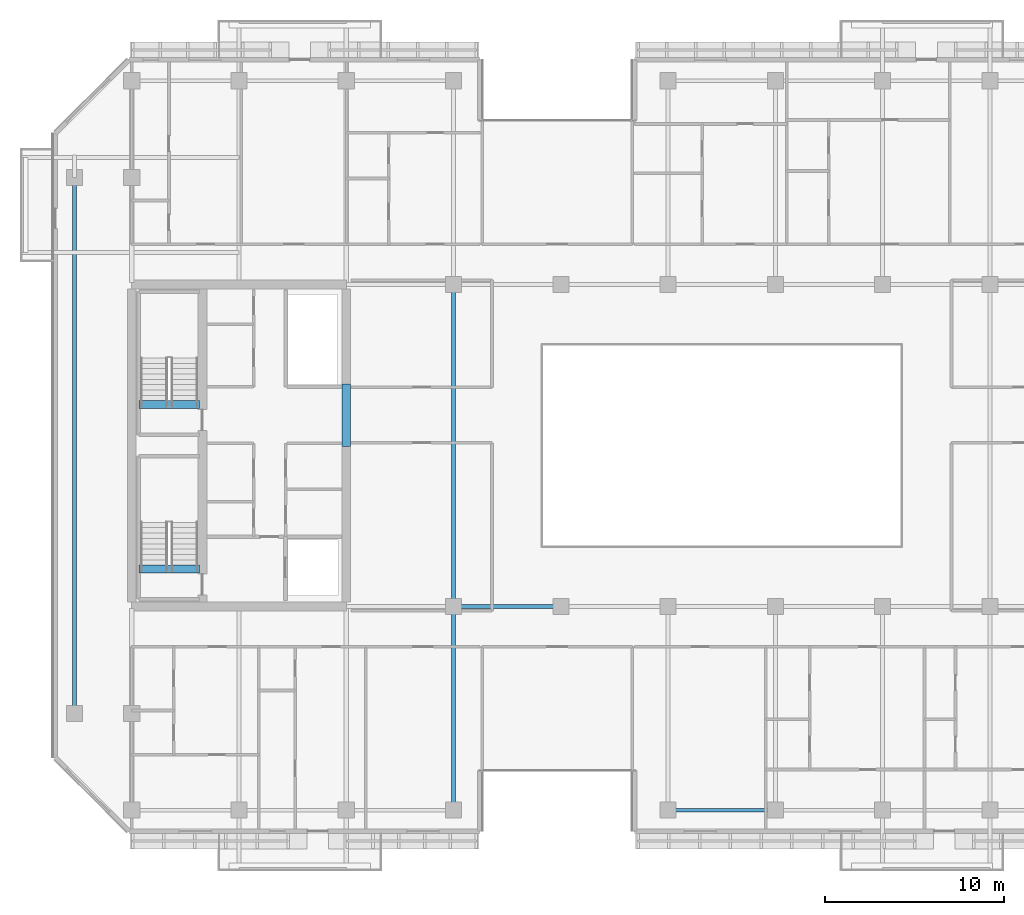
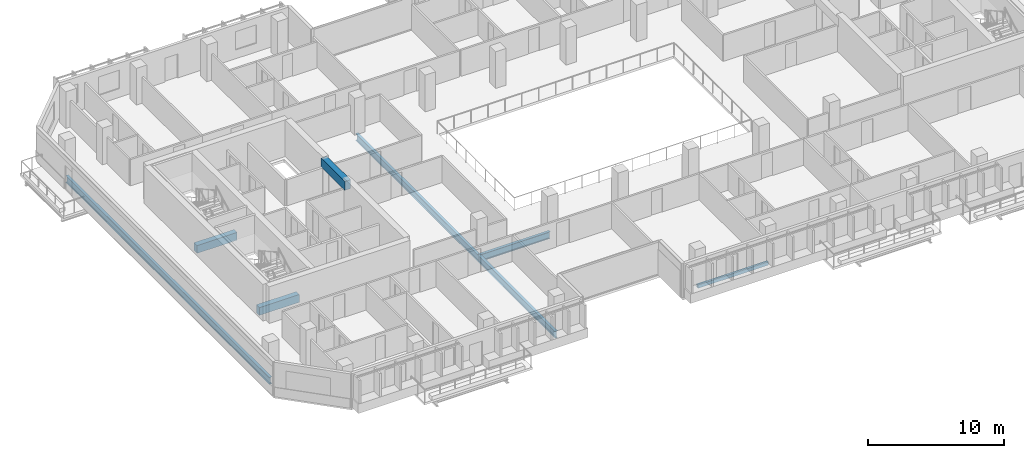
# One storey, part 3 of 21: 8 beams.
"""IFC4 building model written with IfcOpenShell, lengths in metres."""

from ifc_helpers import new_model, si_unit, direction, frame, origin, origin_2d, place, context, subcontext, project, spatial, rectangle, hollow_rectangle, i_section, extrude, material, material_profile, profile_set, type_object, element, save


model = new_model("IFC4")

# Units and contexts
model_context = context("Model", 3, precision=1e-05, world=origin(), true_north=direction((0.0, 1.0)))
body_context = subcontext(model_context, "Body", "Model", "MODEL_VIEW")
ifc_project = project(units=[si_unit("LENGTHUNIT", "METRE"), si_unit("AREAUNIT", "SQUARE_METRE"), si_unit("VOLUMEUNIT", "CUBIC_METRE"), si_unit("PLANEANGLEUNIT", "RADIAN"), si_unit("MASSUNIT", "GRAM", prefix="KILO")], contexts=[model_context])

# Site, building, storey
site_placement = place(None, origin())
site = spatial("IfcSite", under=ifc_project, at=site_placement, CompositionType="ELEMENT")
building_placement = place(site_placement, origin())
building = spatial("IfcBuilding", under=site, at=building_placement, Name="Tanjung Sevakor Pilgrim Tower", CompositionType="ELEMENT")
storey_placement = place(building_placement, frame((0.0, 0.0, 145.199951171875)))
storey = spatial("IfcBuildingStorey", under=building, at=storey_placement, Name="L40", CompositionType="ELEMENT", Elevation=145.199951171875)

# Beams
ifc_material_1 = material(Name="Steel S355J2", Category="steel")
ifc_material_profile_1 = material_profile(ifc_material_1, i_section(OverallWidth=0.230224609375, OverallDepth=0.6171875, WebThickness=0.01318359375, FlangeThickness=0.022216796875, FilletRadius=0.0126953125, at=origin_2d()))
ifc_profile_set_1 = profile_set([ifc_material_profile_1], Name="Steel S355J2")
beam_type_1 = type_object("IfcBeamType", Name="BM-B-G3-UB_610x229x140", PredefinedType="BEAM", material=ifc_profile_set_1)
beam_1_placement = place(storey_placement, frame((42.0, 24.60009765625, -0.528564453125), z_axis=(1.0, 0.0, 0.0), x_axis=(0.0, 1.0, 0.0)))
element("IfcBeam", 1, at=beam_1_placement, inside=storey, type_object=beam_type_1, Name="L40 Primary Floor Girder MAIN Y246-02", PredefinedType="BEAM", context=body_context, shape_type="SweptSolid", body=[
    extrude(i_section(OverallWidth=0.230224609375, OverallDepth=0.6171875, WebThickness=0.01318359375, FlangeThickness=0.022216796875, FilletRadius=0.0126953125, at=origin_2d()), origin(), (0.0, 0.0, 1.0), 6.0),
])
ifc_material_2 = material(Name="Steel S355J2", Category="steel")
ifc_material_profile_2 = material_profile(ifc_material_2, i_section(OverallWidth=0.22900390625, OverallDepth=0.6123046875, WebThickness=0.011962890625, FlangeThickness=0.01953125, FilletRadius=0.0126953125, at=origin_2d()))
ifc_profile_set_2 = profile_set([ifc_material_profile_2], Name="Steel S355J2")
beam_type_2 = type_object("IfcBeamType", Name="BM-B-G4-UB_610x229x125", PredefinedType="BEAM", material=ifc_profile_set_2)
beam_2_placement = place(storey_placement, frame((20.800048828125, 18.60009765625, -0.526123046875), z_axis=(0.0, 1.0, 0.0), x_axis=(-1.0, 0.0, 0.0)))
element("IfcBeam", 2, at=beam_2_placement, inside=storey, type_object=beam_type_2, Name="L40 Short-End Edge Girder W", PredefinedType="BEAM", context=body_context, shape_type="SweptSolid", body=[
    extrude(i_section(OverallWidth=0.22900390625, OverallDepth=0.6123046875, WebThickness=0.011962890625, FlangeThickness=0.01953125, FilletRadius=0.0126953125, at=origin_2d()), origin(), (0.0, 0.0, 1.0), 30.0),
])
beam_3_placement = place(storey_placement, frame((42.0, 13.199951171875, -0.526123046875), z_axis=(0.0, 1.0, 0.0), x_axis=(-1.0, 0.0, 0.0)))
element("IfcBeam", 3, at=beam_3_placement, inside=storey, type_object=beam_type_2, Name="L40 MAIN Girder 003", PredefinedType="BEAM", context=body_context, shape_type="SweptSolid", body=[
    extrude(i_section(OverallWidth=0.22900390625, OverallDepth=0.6123046875, WebThickness=0.011962890625, FlangeThickness=0.01953125, FilletRadius=0.0126953125, at=origin_2d()), origin(), (0.0, 0.0, 1.0), 11.400146484375),
])
beam_4_placement = place(storey_placement, frame((42.0, 24.60009765625, -0.526123046875), z_axis=(0.0, 1.0, 0.0), x_axis=(-1.0, 0.0, 0.0)))
element("IfcBeam", 4, at=beam_4_placement, inside=storey, type_object=beam_type_2, Name="L40 MAIN Girder 004", PredefinedType="BEAM", context=body_context, shape_type="SweptSolid", body=[
    extrude(i_section(OverallWidth=0.22900390625, OverallDepth=0.6123046875, WebThickness=0.011962890625, FlangeThickness=0.01953125, FilletRadius=0.0126953125, at=origin_2d()), origin(), (0.0, 0.0, 1.0), 18.0),
])
ifc_material_3 = material(Name="Concrete C60/75", Category="concrete")
ifc_material_profile_3 = material_profile(ifc_material_3, rectangle(XDim=0.5, YDim=0.800048828125, at=origin_2d()))
ifc_profile_set_3 = profile_set([ifc_material_profile_3], Name="Concrete C60/75")
beam_type_3 = type_object("IfcBeamType", Name="BM-B-LN2-RC-BM_500x800", PredefinedType="LINTEL", material=ifc_profile_set_3)
beam_5_placement = place(storey_placement, frame((36.0, 33.550048828125, 2.679931640625), z_axis=(0.0, 1.0, 0.0), x_axis=(-1.0, 0.0, 0.0)))
element("IfcBeam", 5, at=beam_5_placement, inside=storey, type_object=beam_type_3, Name="L40 W Core Coupling Lintel", PredefinedType="LINTEL", context=body_context, shape_type="SweptSolid", body=[
    extrude(rectangle(XDim=0.5, YDim=0.800048828125, at=origin_2d()), origin(), (0.0, 0.0, 1.0), 3.5),
])
ifc_material_4 = material(Name="Concrete C60/75", Category="concrete")
ifc_material_profile_4 = material_profile(ifc_material_4, rectangle(XDim=0.449951171875, YDim=0.699951171875, at=origin_2d()))
ifc_profile_set_4 = profile_set([ifc_material_profile_4], Name="Concrete C60/75")
beam_type_4 = type_object("IfcBeamType", Name="BM-B-LN3-RC-BM_450x700", PredefinedType="LINTEL", material=ifc_profile_set_4)
for number, where, z_axis, x_axis, name in (
    (6, (24.39990234375, 26.699951171875, -0.349853515625), (1.0, 0.0, 0.0), (0.0, 1.0, 0.0), "L40 TS-W1 Stair Threshold Beam"),
    (7, (24.39990234375, 35.89990234375, -0.349853515625), (1.0, 0.0, 0.0), (0.0, 1.0, 0.0), "L40 TS-W2 Stair Threshold Beam"),
):
    element("IfcBeam", number, at=place(storey_placement, frame(where, z_axis=z_axis, x_axis=x_axis)), inside=storey, type_object=beam_type_4, Name=name, PredefinedType="LINTEL", context=body_context, shape_type="SweptSolid", body=[
        extrude(rectangle(XDim=0.449951171875, YDim=0.699951171875, at=origin_2d()), origin(), (0.0, 0.0, 1.0), 3.400146484375),
    ])
ifc_material_5 = material(Name="Steel S355J2", Category="steel")
ifc_material_profile_5 = material_profile(ifc_material_5, hollow_rectangle(XDim=0.199951171875, YDim=0.300048828125, WallThickness=0.012451171875, at=origin_2d()))
ifc_profile_set_5 = profile_set([ifc_material_profile_5], Name="Steel S355J2")
beam_type_5 = type_object("IfcBeamType", Name="BM-B-SP3-RHS_300x200x12.5", PredefinedType="SPANDREL", material=ifc_profile_set_5)
beam_6_placement = place(storey_placement, frame((54.0, 13.199951171875, -0.369873046875), z_axis=(1.0, 0.0, 0.0), x_axis=(0.0, 1.0, 0.0)))
element("IfcBeam", 8, at=beam_6_placement, inside=storey, type_object=beam_type_5, Name="L40 Spandrel MAIN S-07", PredefinedType="SPANDREL", context=body_context, shape_type="SweptSolid", body=[
    extrude(hollow_rectangle(XDim=0.199951171875, YDim=0.300048828125, WallThickness=0.012451171875, at=origin_2d()), origin(), (0.0, 0.0, 1.0), 6.0),
])

save(model, "model.ifc")
